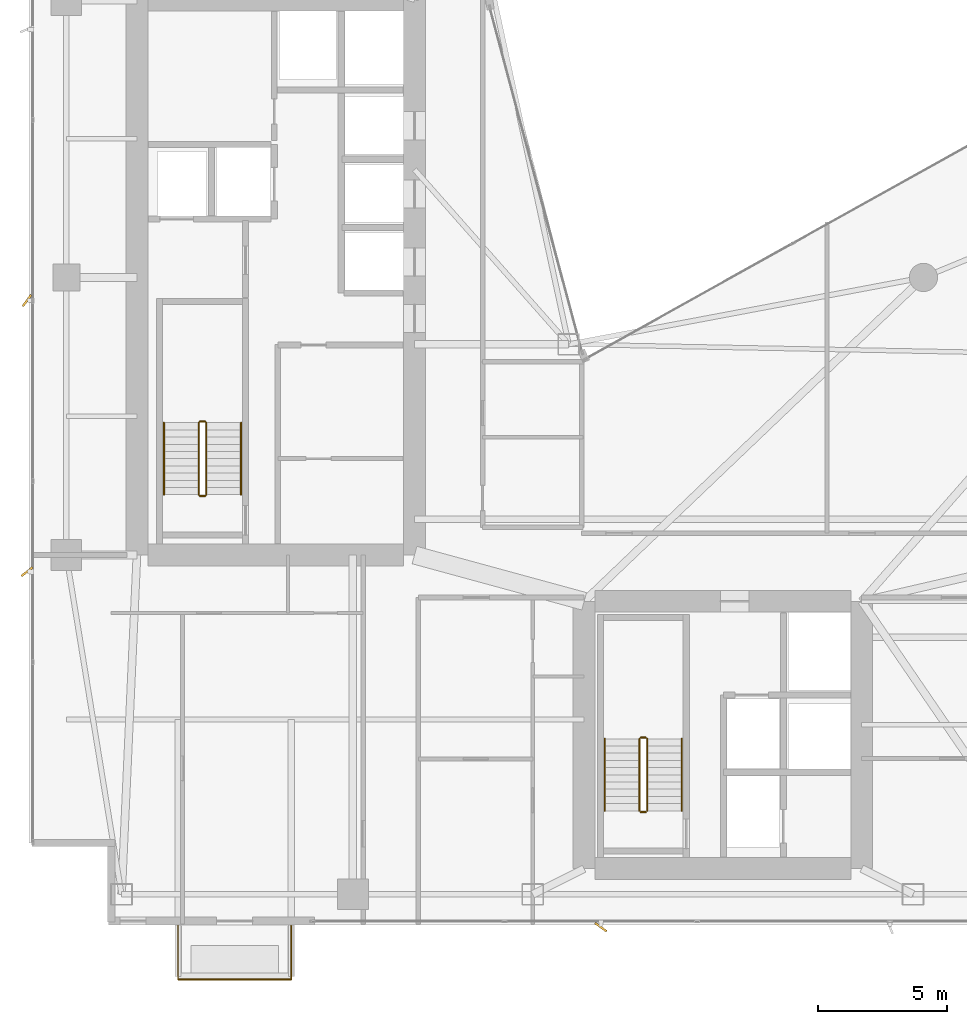
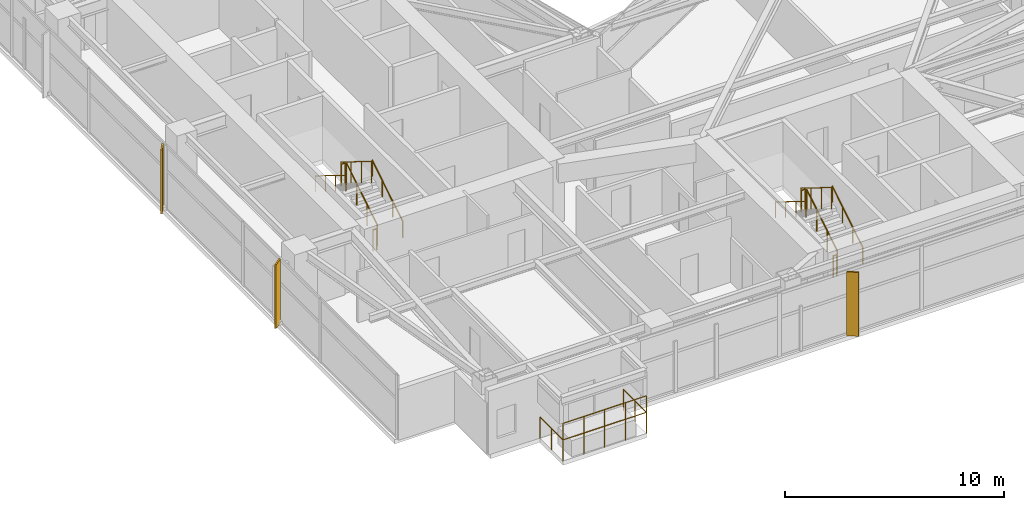
# One storey, part 27 of 28: 14 railings, 3 shading devices.
"""IFC4 building model written with IfcOpenShell, lengths in metres."""

from ifc_helpers import new_model, si_unit, direction, frame, origin, origin_2d, place, context, subcontext, project, spatial, rectangle, circle, extrude, material, type_object, element, save


model = new_model("IFC4")

# Units and contexts
model_context = context("Model", 3, precision=1e-05, world=origin(), true_north=direction((0.0, 1.0)))
body_context = subcontext(model_context, "Body", "Model", "MODEL_VIEW")
ifc_project = project(units=[si_unit("LENGTHUNIT", "METRE"), si_unit("AREAUNIT", "SQUARE_METRE"), si_unit("VOLUMEUNIT", "CUBIC_METRE"), si_unit("PLANEANGLEUNIT", "RADIAN"), si_unit("MASSUNIT", "GRAM", prefix="KILO")], contexts=[model_context])

# Site, building, storey
site_placement = place(None, origin())
site = spatial("IfcSite", under=ifc_project, at=site_placement, CompositionType="ELEMENT")
building_placement = place(site_placement, origin())
building = spatial("IfcBuilding", under=site, at=building_placement, Name="Calvorn Quay Hotel", CompositionType="ELEMENT")
storey_placement = place(building_placement, frame((0.0, 0.0, 127.800048828125)))
storey = spatial("IfcBuildingStorey", under=building, at=storey_placement, Name="L31", CompositionType="ELEMENT", Elevation=127.800048828125)

# Railings
ifc_material_1 = material(Name="Pale Anodised Aluminium and Laminated Glass", Category="aluminium")
railing_type_1 = type_object("IfcRailingType", Name="RLG-BALUSTRADE-1200", PredefinedType="BALUSTRADE", material=ifc_material_1)
railing_1_placement = place(storey_placement, frame((5.800048828125, 2.389892578125, 0.0)))
element("IfcRailing", 1, at=railing_1_placement, inside=storey, type_object=railing_type_1, Name="Tree Balcony Perimeter Balustrade L31-BALC-S", PredefinedType="BALUSTRADE", context=body_context, shape_type="SweptSolid", body=[
    extrude(circle(Radius=0.02392578125, at=origin_2d()), frame((0.0, 0.0, 1.17578125), z_axis=(0.0, -1.0, 0.0), x_axis=(1.0, 0.0, 0.0)), (0.0, 0.0, 1.0), 2.099853515625),
    extrude(circle(Radius=0.02392578125, at=origin_2d()), frame((0.0, -2.099853515625, 1.17578125), z_axis=(1.0, 0.0, 0.0), x_axis=(0.0, 1.0, 0.0)), (0.0, 0.0, 1.0), 4.39990234375),
    extrude(circle(Radius=0.02392578125, at=origin_2d()), frame((4.39990234375, -2.099853515625, 1.17578125), z_axis=(0.0, 1.0, 0.0), x_axis=(-1.0, 0.0, 0.0)), (0.0, 0.0, 1.0), 2.099853515625),
    extrude(circle(Radius=0.02099609375, at=origin_2d()), origin(), (0.0, 0.0, 1.0), 1.15185546875),
    extrude(circle(Radius=0.02099609375, at=origin_2d()), frame((0.0, -1.0498046875, 0.0)), (0.0, 0.0, 1.0), 1.15185546875),
    extrude(circle(Radius=0.02099609375, at=origin_2d()), frame((0.0, -2.099853515625, 0.0)), (0.0, 0.0, 1.0), 1.15185546875),
    extrude(circle(Radius=0.02099609375, at=origin_2d()), frame((1.10009765625, -2.099853515625, 0.0)), (0.0, 0.0, 1.0), 1.15185546875),
    extrude(circle(Radius=0.02099609375, at=origin_2d()), frame((2.199951171875, -2.099853515625, 0.0)), (0.0, 0.0, 1.0), 1.15185546875),
    extrude(circle(Radius=0.02099609375, at=origin_2d()), frame((3.2998046875, -2.099853515625, 0.0)), (0.0, 0.0, 1.0), 1.15185546875),
    extrude(circle(Radius=0.02099609375, at=origin_2d()), frame((4.39990234375, -2.099853515625, 0.0)), (0.0, 0.0, 1.0), 1.15185546875),
    extrude(circle(Radius=0.02099609375, at=origin_2d()), frame((4.39990234375, -1.0498046875, 0.0)), (0.0, 0.0, 1.0), 1.15185546875),
    extrude(circle(Radius=0.02099609375, at=origin_2d()), frame((4.39990234375, 0.0, 0.0)), (0.0, 0.0, 1.0), 1.15185546875),
])
railing_2_placement = place(storey_placement, frame((5.800048828125, 0.2900390625, 0.89990234375)))
element("IfcRailing", 2, at=railing_2_placement, inside=storey, type_object=railing_type_1, Name="Planter Kerb High Safety Screen L31-BALC-S", PredefinedType="BALUSTRADE", context=body_context, shape_type="SweptSolid", body=[
    extrude(circle(Radius=0.02392578125, at=origin_2d()), frame((0.0, 0.0, 1.19580078125), z_axis=(1.0, 0.0, 0.0), x_axis=(0.0, 1.0, 0.0)), (0.0, 0.0, 1.0), 4.39990234375),
    extrude(circle(Radius=0.02099609375, at=origin_2d()), origin(), (0.0, 0.0, 1.0), 1.171875),
    extrude(circle(Radius=0.02099609375, at=origin_2d()), frame((1.10009765625, 0.0, 0.0)), (0.0, 0.0, 1.0), 1.171875),
    extrude(circle(Radius=0.02099609375, at=origin_2d()), frame((2.199951171875, 0.0, 0.0)), (0.0, 0.0, 1.0), 1.171875),
    extrude(circle(Radius=0.02099609375, at=origin_2d()), frame((3.2998046875, 0.0, 0.0)), (0.0, 0.0, 1.0), 1.171875),
    extrude(circle(Radius=0.02099609375, at=origin_2d()), frame((4.39990234375, 0.0, 0.0)), (0.0, 0.0, 1.0), 1.171875),
])
ifc_material_2 = material(Name="Brushed Stainless Steel Handrail", Category="steel")
railing_type_2 = type_object("IfcRailingType", Name="RLG-HANDRAIL-900", PredefinedType="HANDRAIL", material=ifc_material_2)
railing_3_placement = place(storey_placement, frame((8.25, 19.14990234375, 0.172607421875)))
element("IfcRailing", 3, at=railing_3_placement, inside=storey, type_object=railing_type_2, Name="L31 ST-W stair handrail 1", PredefinedType="HANDRAIL", context=body_context, shape_type="SweptSolid", body=[
    extrude(circle(Radius=0.02392578125, at=origin_2d()), frame((0.0, 0.0, 0.8759765625), z_axis=(0.0, 0.851089632645, 0.525020415988), x_axis=(-1.0, 0.0, 0.0)), (0.0, 0.0, 1.0), 3.2900390625),
    extrude(circle(Radius=0.02099609375, at=origin_2d()), origin(), (0.0, 0.0, 1.0), 0.851806640625),
    extrude(circle(Radius=0.02099609375, at=origin_2d()), frame((0.0, 0.933349609375, 0.57568359375)), (0.0, 0.0, 1.0), 0.851806640625),
    extrude(circle(Radius=0.02099609375, at=origin_2d()), frame((0.0, 1.86669921875, 1.151611328125)), (0.0, 0.0, 1.0), 0.851806640625),
    extrude(circle(Radius=0.02099609375, at=origin_2d()), frame((0.0, 2.800048828125, 1.727294921875)), (0.0, 0.0, 1.0), 0.851806640625),
])
railing_4_placement = place(storey_placement, frame((5.25, 21.949951171875, 2.07275390625)))
element("IfcRailing", 4, at=railing_4_placement, inside=storey, type_object=railing_type_2, Name="L31 ST-W stair handrail 2", PredefinedType="HANDRAIL", context=body_context, shape_type="SweptSolid", body=[
    extrude(circle(Radius=0.02392578125, at=origin_2d()), frame((0.0, 0.0, 0.8759765625), z_axis=(0.0, -0.851089632645, 0.525020415988), x_axis=(1.0, 0.0, 0.0)), (0.0, 0.0, 1.0), 3.2900390625),
    extrude(circle(Radius=0.02099609375, at=origin_2d()), origin(), (0.0, 0.0, 1.0), 0.851806640625),
    extrude(circle(Radius=0.02099609375, at=origin_2d()), frame((0.0, -0.933349609375, 0.57568359375)), (0.0, 0.0, 1.0), 0.851806640625),
    extrude(circle(Radius=0.02099609375, at=origin_2d()), frame((0.0, -1.86669921875, 1.151611328125)), (0.0, 0.0, 1.0), 0.851806640625),
    extrude(circle(Radius=0.02099609375, at=origin_2d()), frame((0.0, -2.800048828125, 1.727294921875)), (0.0, 0.0, 1.0), 0.851806640625),
])
railing_5_placement = place(storey_placement, frame((25.39990234375, 6.85009765625, 0.172607421875)))
element("IfcRailing", 5, at=railing_5_placement, inside=storey, type_object=railing_type_2, Name="L31 ST-E stair handrail 1", PredefinedType="HANDRAIL", context=body_context, shape_type="SweptSolid", body=[
    extrude(circle(Radius=0.02392578125, at=origin_2d()), frame((0.0, 0.0, 0.8759765625), z_axis=(0.0, 0.851069175582, 0.525053576669), x_axis=(-1.0, 0.0, 0.0)), (0.0, 0.0, 1.0), 3.289794921875),
    extrude(circle(Radius=0.02099609375, at=origin_2d()), origin(), (0.0, 0.0, 1.0), 0.851806640625),
    extrude(circle(Radius=0.02099609375, at=origin_2d()), frame((0.0, 0.933349609375, 0.57568359375)), (0.0, 0.0, 1.0), 0.851806640625),
    extrude(circle(Radius=0.02099609375, at=origin_2d()), frame((0.0, 1.866455078125, 1.151611328125)), (0.0, 0.0, 1.0), 0.851806640625),
    extrude(circle(Radius=0.02099609375, at=origin_2d()), frame((0.0, 2.7998046875, 1.727294921875)), (0.0, 0.0, 1.0), 0.851806640625),
])
railing_6_placement = place(storey_placement, frame((22.39990234375, 9.64990234375, 2.07275390625)))
element("IfcRailing", 6, at=railing_6_placement, inside=storey, type_object=railing_type_2, Name="L31 ST-E stair handrail 2", PredefinedType="HANDRAIL", context=body_context, shape_type="SweptSolid", body=[
    extrude(circle(Radius=0.02392578125, at=origin_2d()), frame((0.0, 0.0, 0.8759765625), z_axis=(0.0, -0.851069175582, 0.525053576669), x_axis=(1.0, 0.0, 0.0)), (0.0, 0.0, 1.0), 3.289794921875),
    extrude(circle(Radius=0.02099609375, at=origin_2d()), origin(), (0.0, 0.0, 1.0), 0.851806640625),
    extrude(circle(Radius=0.02099609375, at=origin_2d()), frame((0.0, -0.933349609375, 0.57568359375)), (0.0, 0.0, 1.0), 0.851806640625),
    extrude(circle(Radius=0.02099609375, at=origin_2d()), frame((0.0, -1.866455078125, 1.151611328125)), (0.0, 0.0, 1.0), 0.851806640625),
    extrude(circle(Radius=0.02099609375, at=origin_2d()), frame((0.0, -2.7998046875, 1.727294921875)), (0.0, 0.0, 1.0), 0.851806640625),
])
ifc_material_3 = material(Name="Painted Galvanised Steel Balustrade", Category="steel")
railing_type_3 = type_object("IfcRailingType", Name="RLG-STAIR-GUARD-1120", PredefinedType="GUARDRAIL", material=ifc_material_3)
railing_7_placement = place(storey_placement, frame((6.89990234375, 19.14990234375, 0.172607421875)))
element("IfcRailing", 7, at=railing_7_placement, inside=storey, type_object=railing_type_3, Name="L31 ST-W stair guard 1", PredefinedType="GUARDRAIL", context=body_context, shape_type="SweptSolid", body=[
    extrude(circle(Radius=0.02392578125, at=origin_2d()), frame((0.0, 0.0, 1.17578125), z_axis=(0.0, 0.851089632645, 0.525020415988), x_axis=(-1.0, 0.0, 0.0)), (0.0, 0.0, 1.0), 3.2900390625),
    extrude(circle(Radius=0.02099609375, at=origin_2d()), origin(), (0.0, 0.0, 1.0), 1.15185546875),
    extrude(circle(Radius=0.02099609375, at=origin_2d()), frame((0.0, 0.933349609375, 0.57568359375)), (0.0, 0.0, 1.0), 1.15185546875),
    extrude(circle(Radius=0.02099609375, at=origin_2d()), frame((0.0, 1.86669921875, 1.151611328125)), (0.0, 0.0, 1.0), 1.15185546875),
    extrude(circle(Radius=0.02099609375, at=origin_2d()), frame((0.0, 2.800048828125, 1.727294921875)), (0.0, 0.0, 1.0), 1.15185546875),
])
railing_8_placement = place(storey_placement, frame((6.85009765625, 22.0, 1.89990234375)))
element("IfcRailing", 8, at=railing_8_placement, inside=storey, type_object=railing_type_3, Name="L31 ST-W stair guard 2", PredefinedType="GUARDRAIL", context=body_context, shape_type="SweptSolid", body=[
    extrude(circle(Radius=0.02392578125, at=origin_2d()), frame((0.0, 0.0, 1.17578125), z_axis=(-1.0, 0.0, 0.0), x_axis=(0.0, -1.0, 0.0)), (0.0, 0.0, 1.0), 0.2001953125),
    extrude(circle(Radius=0.02099609375, at=origin_2d()), origin(), (0.0, 0.0, 1.0), 1.15185546875),
    extrude(circle(Radius=0.02099609375, at=origin_2d()), frame((-0.2001953125, 0.0, 0.0)), (0.0, 0.0, 1.0), 1.15185546875),
])
railing_9_placement = place(storey_placement, frame((6.60009765625, 21.949951171875, 2.07275390625)))
element("IfcRailing", 9, at=railing_9_placement, inside=storey, type_object=railing_type_3, Name="L31 ST-W stair guard 3", PredefinedType="GUARDRAIL", context=body_context, shape_type="SweptSolid", body=[
    extrude(circle(Radius=0.02392578125, at=origin_2d()), frame((0.0, 0.0, 1.17578125), z_axis=(0.0, -0.851089632645, 0.525020415988), x_axis=(1.0, 0.0, 0.0)), (0.0, 0.0, 1.0), 3.2900390625),
    extrude(circle(Radius=0.02099609375, at=origin_2d()), origin(), (0.0, 0.0, 1.0), 1.15185546875),
    extrude(circle(Radius=0.02099609375, at=origin_2d()), frame((0.0, -0.933349609375, 0.57568359375)), (0.0, 0.0, 1.0), 1.15185546875),
    extrude(circle(Radius=0.02099609375, at=origin_2d()), frame((0.0, -1.86669921875, 1.151611328125)), (0.0, 0.0, 1.0), 1.15185546875),
    extrude(circle(Radius=0.02099609375, at=origin_2d()), frame((0.0, -2.800048828125, 1.727294921875)), (0.0, 0.0, 1.0), 1.15185546875),
])
railing_10_placement = place(storey_placement, frame((6.85009765625, 19.10009765625, 0.0)))
element("IfcRailing", 10, at=railing_10_placement, inside=storey, type_object=railing_type_3, Name="L31 ST-W stair guard 4", PredefinedType="GUARDRAIL", context=body_context, shape_type="SweptSolid", body=[
    extrude(circle(Radius=0.02392578125, at=origin_2d()), frame((0.0, 0.0, 1.17578125), z_axis=(-1.0, 0.0, 0.0), x_axis=(0.0, -1.0, 0.0)), (0.0, 0.0, 1.0), 0.2001953125),
    extrude(circle(Radius=0.02099609375, at=origin_2d()), origin(), (0.0, 0.0, 1.0), 1.15185546875),
    extrude(circle(Radius=0.02099609375, at=origin_2d()), frame((-0.2001953125, 0.0, 0.0)), (0.0, 0.0, 1.0), 1.15185546875),
])
railing_11_placement = place(storey_placement, frame((24.050048828125, 6.85009765625, 0.172607421875)))
element("IfcRailing", 11, at=railing_11_placement, inside=storey, type_object=railing_type_3, Name="L31 ST-E stair guard 1", PredefinedType="GUARDRAIL", context=body_context, shape_type="SweptSolid", body=[
    extrude(circle(Radius=0.02392578125, at=origin_2d()), frame((0.0, 0.0, 1.17578125), z_axis=(0.0, 0.851069175582, 0.525053576669), x_axis=(-1.0, 0.0, 0.0)), (0.0, 0.0, 1.0), 3.289794921875),
    extrude(circle(Radius=0.02099609375, at=origin_2d()), origin(), (0.0, 0.0, 1.0), 1.15185546875),
    extrude(circle(Radius=0.02099609375, at=origin_2d()), frame((0.0, 0.933349609375, 0.57568359375)), (0.0, 0.0, 1.0), 1.15185546875),
    extrude(circle(Radius=0.02099609375, at=origin_2d()), frame((0.0, 1.866455078125, 1.151611328125)), (0.0, 0.0, 1.0), 1.15185546875),
    extrude(circle(Radius=0.02099609375, at=origin_2d()), frame((0.0, 2.7998046875, 1.727294921875)), (0.0, 0.0, 1.0), 1.15185546875),
])
railing_12_placement = place(storey_placement, frame((24.0, 9.699951171875, 1.89990234375)))
element("IfcRailing", 12, at=railing_12_placement, inside=storey, type_object=railing_type_3, Name="L31 ST-E stair guard 2", PredefinedType="GUARDRAIL", context=body_context, shape_type="SweptSolid", body=[
    extrude(circle(Radius=0.02392578125, at=origin_2d()), frame((0.0, 0.0, 1.17578125), z_axis=(-1.0, 0.0, 0.0), x_axis=(0.0, -1.0, 0.0)), (0.0, 0.0, 1.0), 0.199951171875),
    extrude(circle(Radius=0.02099609375, at=origin_2d()), origin(), (0.0, 0.0, 1.0), 1.15185546875),
    extrude(circle(Radius=0.02099609375, at=origin_2d()), frame((-0.199951171875, 0.0, 0.0)), (0.0, 0.0, 1.0), 1.15185546875),
])
railing_13_placement = place(storey_placement, frame((23.75, 9.64990234375, 2.07275390625)))
element("IfcRailing", 13, at=railing_13_placement, inside=storey, type_object=railing_type_3, Name="L31 ST-E stair guard 3", PredefinedType="GUARDRAIL", context=body_context, shape_type="SweptSolid", body=[
    extrude(circle(Radius=0.02392578125, at=origin_2d()), frame((0.0, 0.0, 1.17578125), z_axis=(0.0, -0.851069175582, 0.525053576669), x_axis=(1.0, 0.0, 0.0)), (0.0, 0.0, 1.0), 3.289794921875),
    extrude(circle(Radius=0.02099609375, at=origin_2d()), origin(), (0.0, 0.0, 1.0), 1.15185546875),
    extrude(circle(Radius=0.02099609375, at=origin_2d()), frame((0.0, -0.933349609375, 0.57568359375)), (0.0, 0.0, 1.0), 1.15185546875),
    extrude(circle(Radius=0.02099609375, at=origin_2d()), frame((0.0, -1.866455078125, 1.151611328125)), (0.0, 0.0, 1.0), 1.15185546875),
    extrude(circle(Radius=0.02099609375, at=origin_2d()), frame((0.0, -2.7998046875, 1.727294921875)), (0.0, 0.0, 1.0), 1.15185546875),
])
railing_14_placement = place(storey_placement, frame((24.0, 6.800048828125, 0.0)))
element("IfcRailing", 14, at=railing_14_placement, inside=storey, type_object=railing_type_3, Name="L31 ST-E stair guard 4", PredefinedType="GUARDRAIL", context=body_context, shape_type="SweptSolid", body=[
    extrude(circle(Radius=0.02392578125, at=origin_2d()), frame((0.0, 0.0, 1.17578125), z_axis=(-1.0, 0.0, 0.0), x_axis=(0.0, -1.0, 0.0)), (0.0, 0.0, 1.0), 0.199951171875),
    extrude(circle(Radius=0.02099609375, at=origin_2d()), origin(), (0.0, 0.0, 1.0), 1.15185546875),
    extrude(circle(Radius=0.02099609375, at=origin_2d()), frame((-0.199951171875, 0.0, 0.0)), (0.0, 0.0, 1.0), 1.15185546875),
])

# Shading devices
ifc_material_4 = material(Name="Champagne Bronze Anodised Aluminium 6063-T6", Category="aluminium")
shading_device_type_1 = type_object("IfcShadingDeviceType", Name="SHD-FIN-A2", PredefinedType="USERDEFINED", material=ifc_material_4)
shading_device_placement = place(storey_placement, frame((-0.080078125, 16.14990234375, 0.0), z_axis=(0.0, 0.0, 1.0), x_axis=(0.788010753607, 0.615661475326, 0.0)))
element("IfcShadingDevice", 15, at=shading_device_placement, inside=storey, type_object=shading_device_type_1, Name="Diagonal Sun-Shading Fin L31-W01", ObjectType="FIN", PredefinedType="USERDEFINED", context=body_context, shape_type="SweptSolid", body=[
    extrude(rectangle(XDim=0.550048828125, YDim=0.080078125, at=origin_2d()), origin(), (0.0, 0.0, 1.0), 3.56005859375),
])
ifc_material_5 = material(Name="Champagne Bronze Anodised Aluminium 6063-T6", Category="aluminium")
shading_device_type_2 = type_object("IfcShadingDeviceType", Name="SHD-FIN-A3", PredefinedType="USERDEFINED", material=ifc_material_5)
for number, where, z_axis, x_axis, name in (
    (16, (-0.080078125, 26.699951171875, 0.0), (0.0, 0.0, 1.0), (0.587785252292, 0.809016994375, 0.0), "Diagonal Sun-Shading Fin L31-W02"),
    (17, (22.25, 2.320068359375, 0.0), (0.0, 0.0, 1.0), (-0.809016994375, 0.587785252292, 0.0), "Diagonal Sun-Shading Fin L31-S01"),
):
    element("IfcShadingDevice", number, at=place(storey_placement, frame(where, z_axis=z_axis, x_axis=x_axis)), inside=storey, type_object=shading_device_type_2, Name=name, ObjectType="FIN", PredefinedType="USERDEFINED", context=body_context, shape_type="SweptSolid", body=[
        extrude(rectangle(XDim=0.550048828125, YDim=0.080078125, at=origin_2d()), origin(), (0.0, 0.0, 1.0), 3.56005859375),
    ])

save(model, "model.ifc")
